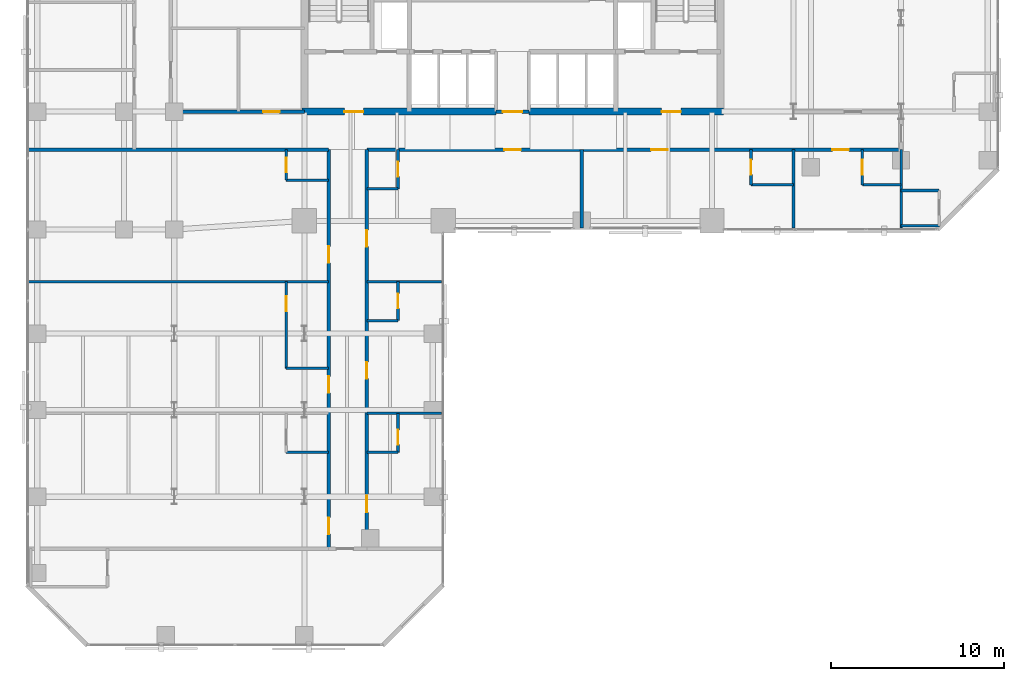
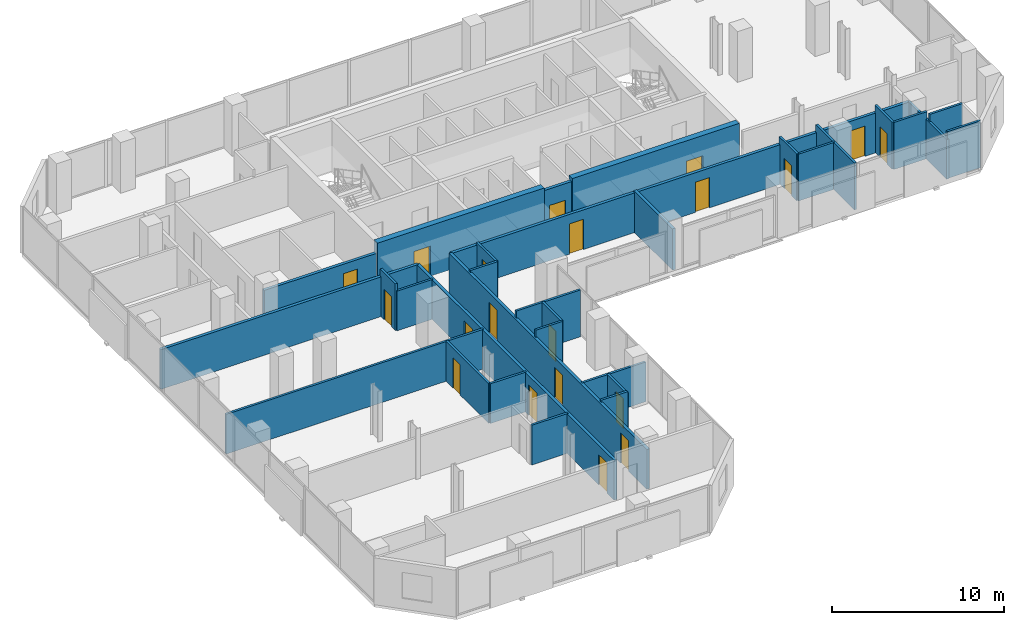
# One storey, part 27 of 31: 31 walls, 20 doors, 20 openings.
"""IFC4 building model written with IfcOpenShell, lengths in metres."""

from ifc_helpers import new_model, si_unit, direction, frame, frame_2d, origin, place, context, subcontext, project, spatial, rectangle, extrude, material, layer, layer_set, type_object, element, fill, save


model = new_model("IFC4")

# Units and contexts
model_context = context("Model", 3, precision=1e-05, world=origin(), true_north=direction((0.0, 1.0)))
body_context = subcontext(model_context, "Body", "Model", "MODEL_VIEW")
ifc_project = project(units=[si_unit("LENGTHUNIT", "METRE"), si_unit("AREAUNIT", "SQUARE_METRE"), si_unit("VOLUMEUNIT", "CUBIC_METRE"), si_unit("PLANEANGLEUNIT", "RADIAN"), si_unit("MASSUNIT", "GRAM", prefix="KILO")], contexts=[model_context])

# Site, building, storey
site_placement = place(None, origin())
site = spatial("IfcSite", under=ifc_project, at=site_placement, CompositionType="ELEMENT")
building_placement = place(site_placement, origin())
building = spatial("IfcBuilding", under=site, at=building_placement, Name="Catumbela Crestline Tower", CompositionType="ELEMENT")
storey_placement = place(building_placement, frame((0.0, 0.0, 36.6)))
storey = spatial("IfcBuildingStorey", under=building, at=storey_placement, Name="L08", CompositionType="ELEMENT", Elevation=36.6)

# Wall, opening, door
ifc_material_1 = material(Name="Concrete C60/75", Category="concrete")
ifc_layer_1 = layer(ifc_material_1, 0.4, Name="Concrete C60/75")
ifc_layer_set_1 = layer_set([ifc_layer_1], Name="Concrete C60/75")
wall_type_1 = type_object("IfcWallType", Name="CW-400A", PredefinedType="SHEAR", material=ifc_layer_set_1)
wall_1_placement = place(storey_placement, frame((15.85, 30.8, 0.0), z_axis=(0.0, 0.0, 1.0), x_axis=(1.0, 0.0, 0.0)))
wall_1 = element("IfcWall", 1, at=wall_1_placement, inside=storey, type_object=wall_type_1, Name="L08 Structural Core Shear Wall SW", PredefinedType="SHEAR", context=body_context, shape_type="SweptSolid", body=[
    extrude(rectangle(XDim=11.2, YDim=0.4, at=frame_2d((5.6, 0.0))), origin(), (0.0, 0.0, 1.0), 3.6),
])
opening_1_placement = place(wall_1_placement, frame((2.45, 0.0, 0.0)))
opening_1 = element("IfcOpeningElement", 2, at=opening_1_placement, cuts=wall_1, Name="Opening DF9-110", PredefinedType="OPENING", context=body_context, shape_type="SweptSolid", body=[
    extrude(rectangle(XDim=1.1, YDim=2.15, at=frame_2d((0.55, 1.075))), frame((0.0, 0.21, 0.0), z_axis=(0.0, -1.0, 0.0), x_axis=(1.0, 0.0, 0.0)), (0.0, 0.0, 1.0), 0.42),
])
ifc_material_2 = material(Name="Stainless steel EN 1.4401", Category="steel")
door_type_1 = type_object("IfcDoorType", Name="DF9-110", OperationType="NOTDEFINED", PredefinedType="DOOR", material=ifc_material_2)
door_1_placement = place(opening_1_placement, origin())
door_1 = element("IfcDoor", 3, at=door_1_placement, inside=storey, type_object=door_type_1, Name="L08 Interior Door DR-L08-FFW-S", OperationType="SINGLE_SWING_LEFT", OverallHeight=2.15, OverallWidth=1.1, PredefinedType="DOOR", context=body_context, shape_type="SweptSolid", body=[
    extrude(rectangle(XDim=1.1, YDim=2.15, at=frame_2d((0.55, 1.075))), frame((0.0, 0.025, 0.0), z_axis=(0.0, -1.0, 0.0), x_axis=(1.0, 0.0, 0.0)), (0.0, 0.0, 1.0), 0.05),
])
fill(opening_1, door_1)

wall_2_placement = place(storey_placement, frame((28.95, 30.8, 0.0), z_axis=(0.0, 0.0, 1.0), x_axis=(1.0, 0.0, 0.0)))
wall_2 = element("IfcWall", 4, at=wall_2_placement, inside=storey, type_object=wall_type_1, Name="L08 Structural Core Shear Wall SE", PredefinedType="SHEAR", context=body_context, shape_type="SweptSolid", body=[
    extrude(rectangle(XDim=11.2, YDim=0.4, at=frame_2d((5.6, 0.0))), origin(), (0.0, 0.0, 1.0), 3.6),
])
opening_2_placement = place(wall_2_placement, frame((7.65, 0.0, 0.0)))
opening_2 = element("IfcOpeningElement", 5, at=opening_2_placement, cuts=wall_2, Name="Opening DF9-110", PredefinedType="OPENING", context=body_context, shape_type="SweptSolid", body=[
    extrude(rectangle(XDim=1.1, YDim=2.15, at=frame_2d((0.55, 1.075))), frame((0.0, 0.21, 0.0), z_axis=(0.0, -1.0, 0.0), x_axis=(1.0, 0.0, 0.0)), (0.0, 0.0, 1.0), 0.42),
])
door_2_placement = place(opening_2_placement, origin())
door_2 = element("IfcDoor", 6, at=door_2_placement, inside=storey, type_object=door_type_1, Name="L08 Interior Door DR-L08-FFE-S", OperationType="SINGLE_SWING_RIGHT", OverallHeight=2.15, OverallWidth=1.1, PredefinedType="DOOR", context=body_context, shape_type="SweptSolid", body=[
    extrude(rectangle(XDim=1.1, YDim=2.15, at=frame_2d((0.55, 1.075))), frame((0.0, 0.025, 0.0), z_axis=(0.0, -1.0, 0.0), x_axis=(1.0, 0.0, 0.0)), (0.0, 0.0, 1.0), 0.05),
])
fill(opening_2, door_2)

ifc_material_3 = material(Name="Acoustic gypsum and mineral-wool partition")
ifc_layer_2 = layer(ifc_material_3, 0.2, Name="Acoustic gypsum and mineral-wool partition")
ifc_layer_set_2 = layer_set([ifc_layer_2], Name="Acoustic gypsum and mineral-wool partition")
wall_type_2 = type_object("IfcWallType", Name="WC-200", PredefinedType="PARTITIONING", material=ifc_layer_set_2)
wall_3_placement = place(storey_placement, frame((27.05, 30.8, 0.0), z_axis=(0.0, 0.0, 1.0), x_axis=(1.0, 0.0, 0.0)))
wall_3 = element("IfcWall", 7, at=wall_3_placement, inside=storey, type_object=wall_type_2, Name="L08 Interior Partition PW-L08-CLOBS", PredefinedType="PARTITIONING", context=body_context, shape_type="SweptSolid", body=[
    extrude(rectangle(XDim=1.9, YDim=0.2, at=frame_2d((0.95, 0.0))), origin(), (0.0, 0.0, 1.0), 3.33),
])
opening_3_placement = place(wall_3_placement, frame((0.4, 0.0, 0.0)))
opening_3 = element("IfcOpeningElement", 8, at=opening_3_placement, cuts=wall_3, Name="Opening DF9-110", PredefinedType="OPENING", context=body_context, shape_type="SweptSolid", body=[
    extrude(rectangle(XDim=1.1, YDim=2.15, at=frame_2d((0.55, 1.075))), frame((0.0, 0.11, 0.0), z_axis=(0.0, -1.0, 0.0), x_axis=(1.0, 0.0, 0.0)), (0.0, 0.0, 1.0), 0.22),
])
door_3_placement = place(opening_3_placement, origin())
door_3 = element("IfcDoor", 9, at=door_3_placement, inside=storey, type_object=door_type_1, Name="L08 Interior Door DR-L08-CLOBS", OperationType="SINGLE_SWING_LEFT", OverallHeight=2.15, OverallWidth=1.1, PredefinedType="DOOR", context=body_context, shape_type="SweptSolid", body=[
    extrude(rectangle(XDim=1.1, YDim=2.15, at=frame_2d((0.55, 1.075))), frame((0.0, 0.025, 0.0), z_axis=(0.0, -1.0, 0.0), x_axis=(1.0, 0.0, 0.0)), (0.0, 0.0, 1.0), 0.05),
])
fill(opening_3, door_3)

# Wall
wall_4_placement = place(storey_placement, frame((0.1, 28.6, 0.0), z_axis=(0.0, 0.0, 1.0), x_axis=(1.0, 0.0, 0.0)))
element("IfcWall", 10, at=wall_4_placement, inside=storey, type_object=wall_type_2, Name="L08 Interior Partition PW-L08-CWGL-N", PredefinedType="PARTITIONING", context=body_context, shape_type="SweptSolid", body=[
    extrude(rectangle(XDim=17.3, YDim=0.2, at=frame_2d((8.65, 0.0))), origin(), (0.0, 0.0, 1.0), 2.82),
])

# Wall, openings, doors
wall_5_placement = place(storey_placement, frame((19.6, 28.6, 0.0), z_axis=(0.0, 0.0, 1.0), x_axis=(1.0, 0.0, 0.0)))
wall_5 = element("IfcWall", 11, at=wall_5_placement, inside=storey, type_object=wall_type_2, Name="L08 Interior Partition PW-L08-CWGR-N", PredefinedType="PARTITIONING", context=body_context, shape_type="SweptSolid", body=[
    extrude(rectangle(XDim=30.8, YDim=0.2, at=frame_2d((15.4, 0.0))), origin(), (0.0, 0.0, 1.0), 2.82),
])
opening_4_placement = place(wall_5_placement, frame((7.925, 0.0, 0.0)))
opening_4 = element("IfcOpeningElement", 12, at=opening_4_placement, cuts=wall_5, Name="Opening DF6-095", PredefinedType="OPENING", context=body_context, shape_type="SweptSolid", body=[
    extrude(rectangle(XDim=0.95, YDim=2.15, at=frame_2d((0.475, 1.075))), frame((0.0, 0.11, 0.0), z_axis=(0.0, -1.0, 0.0), x_axis=(1.0, 0.0, 0.0)), (0.0, 0.0, 1.0), 0.22),
])
opening_5_placement = place(wall_5_placement, frame((16.39, 0.0, 0.0)))
opening_5 = element("IfcOpeningElement", 13, at=opening_5_placement, cuts=wall_5, Name="Opening DF6-095", PredefinedType="OPENING", context=body_context, shape_type="SweptSolid", body=[
    extrude(rectangle(XDim=0.95, YDim=2.15, at=frame_2d((0.475, 1.075))), frame((0.0, 0.11, 0.0), z_axis=(0.0, -1.0, 0.0), x_axis=(1.0, 0.0, 0.0)), (0.0, 0.0, 1.0), 0.22),
])
opening_6_placement = place(wall_5_placement, frame((26.8354, 0.0, 0.0)))
opening_6 = element("IfcOpeningElement", 14, at=opening_6_placement, cuts=wall_5, Name="Opening DF6-095", PredefinedType="OPENING", context=body_context, shape_type="SweptSolid", body=[
    extrude(rectangle(XDim=0.95, YDim=2.15, at=frame_2d((0.475, 1.075))), frame((0.0, 0.11, 0.0), z_axis=(0.0, -1.0, 0.0), x_axis=(1.0, 0.0, 0.0)), (0.0, 0.0, 1.0), 0.22),
])
ifc_material_4 = material(Name="Aluminium alloy AW-6060-T66", Category="aluminium")
door_type_2 = type_object("IfcDoorType", Name="DF6-095", OperationType="NOTDEFINED", PredefinedType="DOOR", material=ifc_material_4)
door_4_placement = place(opening_4_placement, origin())
door_4 = element("IfcDoor", 15, at=door_4_placement, inside=storey, type_object=door_type_2, Name="L08 Interior Door DR-L08-CLBL-ENT", OperationType="SINGLE_SWING_RIGHT", OverallHeight=2.15, OverallWidth=0.95, PredefinedType="DOOR", context=body_context, shape_type="SweptSolid", body=[
    extrude(rectangle(XDim=0.95, YDim=2.15, at=frame_2d((0.475, 1.075))), frame((0.0, 0.025, 0.0), z_axis=(0.0, -1.0, 0.0), x_axis=(1.0, 0.0, 0.0)), (0.0, 0.0, 1.0), 0.05),
])
fill(opening_4, door_4)
door_5_placement = place(opening_5_placement, origin())
door_5 = element("IfcDoor", 16, at=door_5_placement, inside=storey, type_object=door_type_2, Name="L08 Interior Door DR-L08-K2-ENT", OperationType="SINGLE_SWING_RIGHT", OverallHeight=2.15, OverallWidth=0.95, PredefinedType="DOOR", context=body_context, shape_type="SweptSolid", body=[
    extrude(rectangle(XDim=0.95, YDim=2.15, at=frame_2d((0.475, 1.075))), frame((0.0, 0.025, 0.0), z_axis=(0.0, -1.0, 0.0), x_axis=(1.0, 0.0, 0.0)), (0.0, 0.0, 1.0), 0.05),
])
fill(opening_5, door_5)
door_6_placement = place(opening_6_placement, origin())
door_6 = element("IfcDoor", 17, at=door_6_placement, inside=storey, type_object=door_type_2, Name="L08 Interior Door DR-L08-K3-ENT", OperationType="SINGLE_SWING_LEFT", OverallHeight=2.15, OverallWidth=0.95, PredefinedType="DOOR", context=body_context, shape_type="SweptSolid", body=[
    extrude(rectangle(XDim=0.95, YDim=2.15, at=frame_2d((0.475, 1.075))), frame((0.0, 0.025, 0.0), z_axis=(0.0, -1.0, 0.0), x_axis=(1.0, 0.0, 0.0)), (0.0, 0.0, 1.0), 0.05),
])
fill(opening_6, door_6)

# Wall, opening, door
wall_6_placement = place(storey_placement, frame((8.3, 30.8, 0.0), z_axis=(0.0, 0.0, 1.0), x_axis=(1.0, 0.0, 0.0)))
wall_6 = element("IfcWall", 18, at=wall_6_placement, inside=storey, type_object=wall_type_2, Name="L08 Interior Partition PW-L08-HK-S", PredefinedType="PARTITIONING", context=body_context, shape_type="SweptSolid", body=[
    extrude(rectangle(XDim=7.7, YDim=0.2, at=frame_2d((3.85, 0.0))), origin(), (0.0, 0.0, 1.0), 2.82),
])
opening_7_placement = place(wall_6_placement, frame((5.325, 0.0, 0.0)))
opening_7 = element("IfcOpeningElement", 19, at=opening_7_placement, cuts=wall_6, Name="Opening DF6-095", PredefinedType="OPENING", context=body_context, shape_type="SweptSolid", body=[
    extrude(rectangle(XDim=0.95, YDim=2.15, at=frame_2d((0.475, 1.075))), frame((0.0, 0.11, 0.0), z_axis=(0.0, -1.0, 0.0), x_axis=(1.0, 0.0, 0.0)), (0.0, 0.0, 1.0), 0.22),
])
door_7_placement = place(opening_7_placement, origin())
door_7 = element("IfcDoor", 20, at=door_7_placement, inside=storey, type_object=door_type_2, Name="L08 Interior Door DR-L08-HKP", OperationType="SINGLE_SWING_LEFT", OverallHeight=2.15, OverallWidth=0.95, PredefinedType="DOOR", context=body_context, shape_type="SweptSolid", body=[
    extrude(rectangle(XDim=0.95, YDim=2.15, at=frame_2d((0.475, 1.075))), frame((0.0, 0.025, 0.0), z_axis=(0.0, -1.0, 0.0), x_axis=(1.0, 0.0, 0.0)), (0.0, 0.0, 1.0), 0.05),
])
fill(opening_7, door_7)

# Wall, openings, doors
wall_7_placement = place(storey_placement, frame((17.4, 5.6, 0.0), z_axis=(0.0, 0.0, 1.0), x_axis=(0.0, 1.0, 0.0)))
wall_7 = element("IfcWall", 21, at=wall_7_placement, inside=storey, type_object=wall_type_2, Name="L08 Interior Partition PW-L08-WL1-ENT", PredefinedType="PARTITIONING", context=body_context, shape_type="SweptSolid", body=[
    extrude(rectangle(XDim=23.0, YDim=0.2, at=frame_2d((11.5, 0.0))), origin(), (0.0, 0.0, 1.0), 2.82),
])
opening_8_placement = place(wall_7_placement, frame((0.84, 0.0, 0.0)))
opening_8 = element("IfcOpeningElement", 22, at=opening_8_placement, cuts=wall_7, Name="Opening DF6-095", PredefinedType="OPENING", context=body_context, shape_type="SweptSolid", body=[
    extrude(rectangle(XDim=0.95, YDim=2.15, at=frame_2d((0.475, 1.075))), frame((0.0, 0.11, 0.0), z_axis=(0.0, -1.0, 0.0), x_axis=(1.0, 0.0, 0.0)), (0.0, 0.0, 1.0), 0.22),
])
opening_9_placement = place(wall_7_placement, frame((8.9831, 0.0, 0.0)))
opening_9 = element("IfcOpeningElement", 23, at=opening_9_placement, cuts=wall_7, Name="Opening DF6-095", PredefinedType="OPENING", context=body_context, shape_type="SweptSolid", body=[
    extrude(rectangle(XDim=0.95, YDim=2.15, at=frame_2d((0.475, 1.075))), frame((0.0, 0.11, 0.0), z_axis=(0.0, -1.0, 0.0), x_axis=(1.0, 0.0, 0.0)), (0.0, 0.0, 1.0), 0.22),
])
opening_10_placement = place(wall_7_placement, frame((16.476, 0.0, 0.0)))
opening_10 = element("IfcOpeningElement", 24, at=opening_10_placement, cuts=wall_7, Name="Opening DF6-095", PredefinedType="OPENING", context=body_context, shape_type="SweptSolid", body=[
    extrude(rectangle(XDim=0.95, YDim=2.15, at=frame_2d((0.475, 1.075))), frame((0.0, 0.11, 0.0), z_axis=(0.0, -1.0, 0.0), x_axis=(1.0, 0.0, 0.0)), (0.0, 0.0, 1.0), 0.22),
])
door_8_placement = place(opening_8_placement, origin())
door_8 = element("IfcDoor", 25, at=door_8_placement, inside=storey, type_object=door_type_2, Name="L08 Interior Door DR-L08-WL1-ENT", OperationType="SINGLE_SWING_LEFT", OverallHeight=2.15, OverallWidth=0.95, PredefinedType="DOOR", context=body_context, shape_type="SweptSolid", body=[
    extrude(rectangle(XDim=0.95, YDim=2.15, at=frame_2d((0.475, 1.075))), frame((0.0, 0.025, 0.0), z_axis=(0.0, -1.0, 0.0), x_axis=(1.0, 0.0, 0.0)), (0.0, 0.0, 1.0), 0.05),
])
fill(opening_8, door_8)
door_9_placement = place(opening_9_placement, origin())
door_9 = element("IfcDoor", 26, at=door_9_placement, inside=storey, type_object=door_type_2, Name="L08 Interior Door DR-L08-WL2-ENT", OperationType="SINGLE_SWING_RIGHT", OverallHeight=2.15, OverallWidth=0.95, PredefinedType="DOOR", context=body_context, shape_type="SweptSolid", body=[
    extrude(rectangle(XDim=0.95, YDim=2.15, at=frame_2d((0.475, 1.075))), frame((0.0, 0.025, 0.0), z_axis=(0.0, -1.0, 0.0), x_axis=(1.0, 0.0, 0.0)), (0.0, 0.0, 1.0), 0.05),
])
fill(opening_9, door_9)
door_10_placement = place(opening_10_placement, origin())
door_10 = element("IfcDoor", 27, at=door_10_placement, inside=storey, type_object=door_type_2, Name="L08 Interior Door DR-L08-WL3-ENT", OperationType="SINGLE_SWING_LEFT", OverallHeight=2.15, OverallWidth=0.95, PredefinedType="DOOR", context=body_context, shape_type="SweptSolid", body=[
    extrude(rectangle(XDim=0.95, YDim=2.15, at=frame_2d((0.475, 1.075))), frame((0.0, 0.025, 0.0), z_axis=(0.0, -1.0, 0.0), x_axis=(1.0, 0.0, 0.0)), (0.0, 0.0, 1.0), 0.05),
])
fill(opening_10, door_10)

wall_8_placement = place(storey_placement, frame((19.6, 5.6, 0.0), z_axis=(0.0, 0.0, 1.0), x_axis=(0.0, 1.0, 0.0)))
wall_8 = element("IfcWall", 28, at=wall_8_placement, inside=storey, type_object=wall_type_2, Name="L08 Interior Partition PW-L08-WR1-ENT", PredefinedType="PARTITIONING", context=body_context, shape_type="SweptSolid", body=[
    extrude(rectangle(XDim=23.0, YDim=0.2, at=frame_2d((11.5, 0.0))), origin(), (0.0, 0.0, 1.0), 2.82),
])
opening_11_placement = place(wall_8_placement, frame((2.1, 0.0, 0.0)))
opening_11 = element("IfcOpeningElement", 29, at=opening_11_placement, cuts=wall_8, Name="Opening DF6-095", PredefinedType="OPENING", context=body_context, shape_type="SweptSolid", body=[
    extrude(rectangle(XDim=0.95, YDim=2.15, at=frame_2d((0.475, 1.075))), frame((0.0, 0.11, 0.0), z_axis=(0.0, -1.0, 0.0), x_axis=(1.0, 0.0, 0.0)), (0.0, 0.0, 1.0), 0.22),
])
opening_12_placement = place(wall_8_placement, frame((9.81, 0.0, 0.0)))
opening_12 = element("IfcOpeningElement", 30, at=opening_12_placement, cuts=wall_8, Name="Opening DF6-095", PredefinedType="OPENING", context=body_context, shape_type="SweptSolid", body=[
    extrude(rectangle(XDim=0.95, YDim=2.15, at=frame_2d((0.475, 1.075))), frame((0.0, 0.11, 0.0), z_axis=(0.0, -1.0, 0.0), x_axis=(1.0, 0.0, 0.0)), (0.0, 0.0, 1.0), 0.22),
])
opening_13_placement = place(wall_8_placement, frame((17.41, 0.0, 0.0)))
opening_13 = element("IfcOpeningElement", 31, at=opening_13_placement, cuts=wall_8, Name="Opening DF6-095", PredefinedType="OPENING", context=body_context, shape_type="SweptSolid", body=[
    extrude(rectangle(XDim=0.95, YDim=2.15, at=frame_2d((0.475, 1.075))), frame((0.0, 0.11, 0.0), z_axis=(0.0, -1.0, 0.0), x_axis=(1.0, 0.0, 0.0)), (0.0, 0.0, 1.0), 0.22),
])
door_11_placement = place(opening_11_placement, origin())
door_11 = element("IfcDoor", 32, at=door_11_placement, inside=storey, type_object=door_type_2, Name="L08 Interior Door DR-L08-WR1-ENT", OperationType="SINGLE_SWING_LEFT", OverallHeight=2.15, OverallWidth=0.95, PredefinedType="DOOR", context=body_context, shape_type="SweptSolid", body=[
    extrude(rectangle(XDim=0.95, YDim=2.15, at=frame_2d((0.475, 1.075))), frame((0.0, 0.025, 0.0), z_axis=(0.0, -1.0, 0.0), x_axis=(1.0, 0.0, 0.0)), (0.0, 0.0, 1.0), 0.05),
])
fill(opening_11, door_11)
door_12_placement = place(opening_12_placement, origin())
door_12 = element("IfcDoor", 33, at=door_12_placement, inside=storey, type_object=door_type_2, Name="L08 Interior Door DR-L08-WR2-ENT", OperationType="SINGLE_SWING_RIGHT", OverallHeight=2.15, OverallWidth=0.95, PredefinedType="DOOR", context=body_context, shape_type="SweptSolid", body=[
    extrude(rectangle(XDim=0.95, YDim=2.15, at=frame_2d((0.475, 1.075))), frame((0.0, 0.025, 0.0), z_axis=(0.0, -1.0, 0.0), x_axis=(1.0, 0.0, 0.0)), (0.0, 0.0, 1.0), 0.05),
])
fill(opening_12, door_12)
door_13_placement = place(opening_13_placement, origin())
door_13 = element("IfcDoor", 34, at=door_13_placement, inside=storey, type_object=door_type_2, Name="L08 Interior Door DR-L08-WR3-ENT", OperationType="SINGLE_SWING_LEFT", OverallHeight=2.15, OverallWidth=0.95, PredefinedType="DOOR", context=body_context, shape_type="SweptSolid", body=[
    extrude(rectangle(XDim=0.95, YDim=2.15, at=frame_2d((0.475, 1.075))), frame((0.0, 0.025, 0.0), z_axis=(0.0, -1.0, 0.0), x_axis=(1.0, 0.0, 0.0)), (0.0, 0.0, 1.0), 0.05),
])
fill(opening_13, door_13)

# Wall
ifc_layer_3 = layer(ifc_material_3, 0.15, Name="Acoustic gypsum and mineral-wool partition")
ifc_layer_set_3 = layer_set([ifc_layer_3], Name="Acoustic gypsum and mineral-wool partition")
wall_type_3 = type_object("IfcWallType", Name="WP-150", PredefinedType="PARTITIONING", material=ifc_layer_set_3)
wall_9_placement = place(storey_placement, frame((41.75, 26.576, 0.0), z_axis=(0.0, 0.0, 1.0), x_axis=(1.0, 0.0, 0.0)))
element("IfcWall", 35, at=wall_9_placement, inside=storey, type_object=wall_type_3, Name="L08 Interior Partition PW-L08-K2-BHW", PredefinedType="PARTITIONING", context=body_context, shape_type="SweptSolid", body=[
    extrude(rectangle(XDim=2.45, YDim=0.15, at=frame_2d((1.225, 0.0))), origin(), (0.0, 0.0, 1.0), 3.33),
])

# Wall, opening, door
wall_10_placement = place(storey_placement, frame((41.75, 26.576, 0.0), z_axis=(0.0, 0.0, 1.0), x_axis=(0.0, 1.0, 0.0)))
wall_10 = element("IfcWall", 36, at=wall_10_placement, inside=storey, type_object=wall_type_3, Name="L08 Interior Partition PW-L08-K2-BWW", PredefinedType="PARTITIONING", context=body_context, shape_type="SweptSolid", body=[
    extrude(rectangle(XDim=2.024, YDim=0.15, at=frame_2d((1.012, 0.0))), origin(), (0.0, 0.0, 1.0), 3.33),
])
opening_14_placement = place(wall_10_placement, frame((0.587, 0.0, 0.0)))
opening_14 = element("IfcOpeningElement", 37, at=opening_14_placement, cuts=wall_10, Name="Opening DI-085", PredefinedType="OPENING", context=body_context, shape_type="SweptSolid", body=[
    extrude(rectangle(XDim=0.85, YDim=2.15, at=frame_2d((0.425, 1.075))), frame((0.0, 0.085, 0.0), z_axis=(0.0, -1.0, 0.0), x_axis=(1.0, 0.0, 0.0)), (0.0, 0.0, 1.0), 0.17),
])
door_type_3 = type_object("IfcDoorType", Name="DI-085", OperationType="NOTDEFINED", PredefinedType="DOOR", material=ifc_material_4)
door_14_placement = place(opening_14_placement, origin())
door_14 = element("IfcDoor", 38, at=door_14_placement, inside=storey, type_object=door_type_3, Name="L08 Interior Door DR-L08-K2-BTH", OperationType="SINGLE_SWING_RIGHT", OverallHeight=2.15, OverallWidth=0.85, PredefinedType="DOOR", context=body_context, shape_type="SweptSolid", body=[
    extrude(rectangle(XDim=0.85, YDim=2.15, at=frame_2d((0.425, 1.075))), frame((0.0, 0.025, 0.0), z_axis=(0.0, -1.0, 0.0), x_axis=(1.0, 0.0, 0.0)), (0.0, 0.0, 1.0), 0.05),
])
fill(opening_14, door_14)

# Walls
wall_11_placement = place(storey_placement, frame((44.2, 28.6, 0.0), z_axis=(0.0, 0.0, 1.0), x_axis=(0.0, -1.0, 0.0)))
element("IfcWall", 39, at=wall_11_placement, inside=storey, type_object=wall_type_3, Name="L08 Interior Partition PW-L08-K2-BCL-2", PredefinedType="PARTITIONING", context=body_context, shape_type="SweptSolid", body=[
    extrude(rectangle(XDim=4.5, YDim=0.15, at=frame_2d((2.25, 0.0))), origin(), (0.0, 0.0, 1.0), 3.33),
])
wall_12_placement = place(storey_placement, frame((48.168, 26.576, 0.0), z_axis=(0.0, 0.0, 1.0), x_axis=(1.0, 0.0, 0.0)))
element("IfcWall", 40, at=wall_12_placement, inside=storey, type_object=wall_type_3, Name="L08 Interior Partition PW-L08-K3-BHW", PredefinedType="PARTITIONING", context=body_context, shape_type="SweptSolid", body=[
    extrude(rectangle(XDim=2.232, YDim=0.15, at=frame_2d((1.116, 0.0))), origin(), (0.0, 0.0, 1.0), 3.33),
])

# Wall, opening, door
wall_13_placement = place(storey_placement, frame((48.168, 26.576, 0.0), z_axis=(0.0, 0.0, 1.0), x_axis=(0.0, 1.0, 0.0)))
wall_13 = element("IfcWall", 41, at=wall_13_placement, inside=storey, type_object=wall_type_3, Name="L08 Interior Partition PW-L08-K3-BWW", PredefinedType="PARTITIONING", context=body_context, shape_type="SweptSolid", body=[
    extrude(rectangle(XDim=2.024, YDim=0.15, at=frame_2d((1.012, 0.0))), origin(), (0.0, 0.0, 1.0), 3.33),
])
opening_15_placement = place(wall_13_placement, frame((0.587, 0.0, 0.0)))
opening_15 = element("IfcOpeningElement", 42, at=opening_15_placement, cuts=wall_13, Name="Opening DI-085", PredefinedType="OPENING", context=body_context, shape_type="SweptSolid", body=[
    extrude(rectangle(XDim=0.85, YDim=2.15, at=frame_2d((0.425, 1.075))), frame((0.0, 0.085, 0.0), z_axis=(0.0, -1.0, 0.0), x_axis=(1.0, 0.0, 0.0)), (0.0, 0.0, 1.0), 0.17),
])
door_15_placement = place(opening_15_placement, origin())
door_15 = element("IfcDoor", 43, at=door_15_placement, inside=storey, type_object=door_type_3, Name="L08 Interior Door DR-L08-K3-BTH", OperationType="SINGLE_SWING_RIGHT", OverallHeight=2.15, OverallWidth=0.85, PredefinedType="DOOR", context=body_context, shape_type="SweptSolid", body=[
    extrude(rectangle(XDim=0.85, YDim=2.15, at=frame_2d((0.425, 1.075))), frame((0.0, 0.025, 0.0), z_axis=(0.0, -1.0, 0.0), x_axis=(1.0, 0.0, 0.0)), (0.0, 0.0, 1.0), 0.05),
])
fill(opening_15, door_15)

# Walls
wall_14_placement = place(storey_placement, frame((50.4, 28.6, 0.0), z_axis=(0.0, 0.0, 1.0), x_axis=(0.0, -1.0, 0.0)))
element("IfcWall", 44, at=wall_14_placement, inside=storey, type_object=wall_type_3, Name="L08 Interior Partition PW-L08-K3-BCL-2", PredefinedType="PARTITIONING", context=body_context, shape_type="SweptSolid", body=[
    extrude(rectangle(XDim=4.5, YDim=0.15, at=frame_2d((2.25, 0.0))), origin(), (0.0, 0.0, 1.0), 2.82),
])
wall_15_placement = place(storey_placement, frame((50.4, 26.25, 0.0), z_axis=(0.0, 0.0, 1.0), x_axis=(1.0, 0.0, 0.0)))
element("IfcWall", 45, at=wall_15_placement, inside=storey, type_object=wall_type_3, Name="L08 Interior Partition PW-L08-NESE-BNW", PredefinedType="PARTITIONING", context=body_context, shape_type="SweptSolid", body=[
    extrude(rectangle(XDim=2.2, YDim=0.15, at=frame_2d((1.1, 0.0))), origin(), (0.0, 0.0, 1.0), 3.33),
])
wall_16_placement = place(storey_placement, frame((52.62, 24.22, 0.0), z_axis=(0.0, 0.0, 1.0), x_axis=(-1.0, 0.0, 0.0)))
element("IfcWall", 46, at=wall_16_placement, inside=storey, type_object=wall_type_3, Name="L08 Interior Partition PW-L08-NESE-BCL-3", PredefinedType="PARTITIONING", context=body_context, shape_type="SweptSolid", body=[
    extrude(rectangle(XDim=2.22, YDim=0.15, at=frame_2d((1.11, 0.0))), origin(), (0.0, 0.0, 1.0), 3.33),
])
wall_17_placement = place(storey_placement, frame((14.95, 11.15, 0.0), z_axis=(0.0, 0.0, 1.0), x_axis=(1.0, 0.0, 0.0)))
element("IfcWall", 47, at=wall_17_placement, inside=storey, type_object=wall_type_3, Name="L08 Interior Partition PW-L08-WL1-BSW", PredefinedType="PARTITIONING", context=body_context, shape_type="SweptSolid", body=[
    extrude(rectangle(XDim=2.45, YDim=0.15, at=frame_2d((1.225, 0.0))), origin(), (0.0, 0.0, 1.0), 2.82),
])
wall_18_placement = place(storey_placement, frame((19.6, 11.15, 0.0), z_axis=(0.0, 0.0, 1.0), x_axis=(1.0, 0.0, 0.0)))
element("IfcWall", 48, at=wall_18_placement, inside=storey, type_object=wall_type_3, Name="L08 Interior Partition PW-L08-WR1-BSW", PredefinedType="PARTITIONING", context=body_context, shape_type="SweptSolid", body=[
    extrude(rectangle(XDim=1.8, YDim=0.15, at=frame_2d((0.9, 0.0))), origin(), (0.0, 0.0, 1.0), 2.96),
])

# Wall, opening, door
wall_19_placement = place(storey_placement, frame((21.4, 11.15, 0.0), z_axis=(0.0, 0.0, 1.0), x_axis=(0.0, 1.0, 0.0)))
wall_19 = element("IfcWall", 49, at=wall_19_placement, inside=storey, type_object=wall_type_3, Name="L08 Interior Partition PW-L08-WR1-BEW", PredefinedType="PARTITIONING", context=body_context, shape_type="SweptSolid", body=[
    extrude(rectangle(XDim=2.25, YDim=0.15, at=frame_2d((1.125, 0.0))), origin(), (0.0, 0.0, 1.0), 2.82),
])
opening_16_placement = place(wall_19_placement, frame((0.4444, 0.0, 0.0)))
opening_16 = element("IfcOpeningElement", 50, at=opening_16_placement, cuts=wall_19, Name="Opening DI-085", PredefinedType="OPENING", context=body_context, shape_type="SweptSolid", body=[
    extrude(rectangle(XDim=0.85, YDim=2.15, at=frame_2d((0.425, 1.075))), frame((0.0, 0.085, 0.0), z_axis=(0.0, -1.0, 0.0), x_axis=(1.0, 0.0, 0.0)), (0.0, 0.0, 1.0), 0.17),
])
door_16_placement = place(opening_16_placement, origin())
door_16 = element("IfcDoor", 51, at=door_16_placement, inside=storey, type_object=door_type_3, Name="L08 Interior Door DR-L08-WR1-BTH", OperationType="SINGLE_SWING_LEFT", OverallHeight=2.15, OverallWidth=0.85, PredefinedType="DOOR", context=body_context, shape_type="SweptSolid", body=[
    extrude(rectangle(XDim=0.85, YDim=2.15, at=frame_2d((0.425, 1.075))), frame((0.0, 0.025, 0.0), z_axis=(0.0, -1.0, 0.0), x_axis=(1.0, 0.0, 0.0)), (0.0, 0.0, 1.0), 0.05),
])
fill(opening_16, door_16)

# Walls
wall_20_placement = place(storey_placement, frame((19.6, 13.4, 0.0), z_axis=(0.0, 0.0, 1.0), x_axis=(1.0, 0.0, 0.0)))
element("IfcWall", 52, at=wall_20_placement, inside=storey, type_object=wall_type_3, Name="L08 Interior Partition PW-L08-WR1-BCL-1", PredefinedType="PARTITIONING", context=body_context, shape_type="SweptSolid", body=[
    extrude(rectangle(XDim=4.3, YDim=0.15, at=frame_2d((2.15, 0.0))), origin(), (0.0, 0.0, 1.0), 2.82),
])
wall_21_placement = place(storey_placement, frame((14.95, 16.0, 0.0), z_axis=(0.0, 0.0, 1.0), x_axis=(1.0, 0.0, 0.0)))
element("IfcWall", 53, at=wall_21_placement, inside=storey, type_object=wall_type_3, Name="L08 Interior Partition PW-L08-WL2-BSW", PredefinedType="PARTITIONING", context=body_context, shape_type="SweptSolid", body=[
    extrude(rectangle(XDim=2.45, YDim=0.15, at=frame_2d((1.225, 0.0))), origin(), (0.0, 0.0, 1.0), 2.82),
])

# Wall, opening, door
wall_22_placement = place(storey_placement, frame((14.95, 16.0, 0.0), z_axis=(0.0, 0.0, 1.0), x_axis=(0.0, 1.0, 0.0)))
wall_22 = element("IfcWall", 54, at=wall_22_placement, inside=storey, type_object=wall_type_3, Name="L08 Interior Partition PW-L08-WL2-BWW", PredefinedType="PARTITIONING", context=body_context, shape_type="SweptSolid", body=[
    extrude(rectangle(XDim=5.0, YDim=0.15, at=frame_2d((2.5, 0.0))), origin(), (0.0, 0.0, 1.0), 2.82),
])
opening_17_placement = place(wall_22_placement, frame((3.2983, 0.0, 0.0)))
opening_17 = element("IfcOpeningElement", 55, at=opening_17_placement, cuts=wall_22, Name="Opening DI-085", PredefinedType="OPENING", context=body_context, shape_type="SweptSolid", body=[
    extrude(rectangle(XDim=0.85, YDim=2.15, at=frame_2d((0.425, 1.075))), frame((0.0, 0.085, 0.0), z_axis=(0.0, -1.0, 0.0), x_axis=(1.0, 0.0, 0.0)), (0.0, 0.0, 1.0), 0.17),
])
door_17_placement = place(opening_17_placement, origin())
door_17 = element("IfcDoor", 56, at=door_17_placement, inside=storey, type_object=door_type_3, Name="L08 Interior Door DR-L08-WL2-BTH", OperationType="SINGLE_SWING_RIGHT", OverallHeight=2.15, OverallWidth=0.85, PredefinedType="DOOR", context=body_context, shape_type="SweptSolid", body=[
    extrude(rectangle(XDim=0.85, YDim=2.15, at=frame_2d((0.425, 1.075))), frame((0.0, 0.025, 0.0), z_axis=(0.0, -1.0, 0.0), x_axis=(1.0, 0.0, 0.0)), (0.0, 0.0, 1.0), 0.05),
])
fill(opening_17, door_17)

# Walls
wall_23_placement = place(storey_placement, frame((0.1, 21.0, 0.0), z_axis=(0.0, 0.0, 1.0), x_axis=(1.0, 0.0, 0.0)))
element("IfcWall", 57, at=wall_23_placement, inside=storey, type_object=wall_type_3, Name="L08 Interior Partition PW-L08-WL2-BCL-1", PredefinedType="PARTITIONING", context=body_context, shape_type="SweptSolid", body=[
    extrude(rectangle(XDim=17.3, YDim=0.15, at=frame_2d((8.65, 0.0))), origin(), (0.0, 0.0, 1.0), 2.82),
])
wall_24_placement = place(storey_placement, frame((19.6, 18.75, 0.0), z_axis=(0.0, 0.0, 1.0), x_axis=(1.0, 0.0, 0.0)))
element("IfcWall", 58, at=wall_24_placement, inside=storey, type_object=wall_type_3, Name="L08 Interior Partition PW-L08-WR2-BSW", PredefinedType="PARTITIONING", context=body_context, shape_type="SweptSolid", body=[
    extrude(rectangle(XDim=1.8, YDim=0.15, at=frame_2d((0.9, 0.0))), origin(), (0.0, 0.0, 1.0), 3.33),
])

# Wall, opening, door
wall_25_placement = place(storey_placement, frame((21.4, 18.75, 0.0), z_axis=(0.0, 0.0, 1.0), x_axis=(0.0, 1.0, 0.0)))
wall_25 = element("IfcWall", 59, at=wall_25_placement, inside=storey, type_object=wall_type_3, Name="L08 Interior Partition PW-L08-WR2-BEW", PredefinedType="PARTITIONING", context=body_context, shape_type="SweptSolid", body=[
    extrude(rectangle(XDim=2.25, YDim=0.15, at=frame_2d((1.125, 0.0))), origin(), (0.0, 0.0, 1.0), 3.33),
])
opening_18_placement = place(wall_25_placement, frame((0.7, 0.0, 0.0)))
opening_18 = element("IfcOpeningElement", 60, at=opening_18_placement, cuts=wall_25, Name="Opening DI-085", PredefinedType="OPENING", context=body_context, shape_type="SweptSolid", body=[
    extrude(rectangle(XDim=0.85, YDim=2.15, at=frame_2d((0.425, 1.075))), frame((0.0, 0.085, 0.0), z_axis=(0.0, -1.0, 0.0), x_axis=(1.0, 0.0, 0.0)), (0.0, 0.0, 1.0), 0.17),
])
door_18_placement = place(opening_18_placement, origin())
door_18 = element("IfcDoor", 61, at=door_18_placement, inside=storey, type_object=door_type_3, Name="L08 Interior Door DR-L08-WR2-BTH", OperationType="SINGLE_SWING_LEFT", OverallHeight=2.15, OverallWidth=0.85, PredefinedType="DOOR", context=body_context, shape_type="SweptSolid", body=[
    extrude(rectangle(XDim=0.85, YDim=2.15, at=frame_2d((0.425, 1.075))), frame((0.0, 0.025, 0.0), z_axis=(0.0, -1.0, 0.0), x_axis=(1.0, 0.0, 0.0)), (0.0, 0.0, 1.0), 0.05),
])
fill(opening_18, door_18)

# Walls
wall_26_placement = place(storey_placement, frame((19.6, 21.0, 0.0), z_axis=(0.0, 0.0, 1.0), x_axis=(1.0, 0.0, 0.0)))
element("IfcWall", 62, at=wall_26_placement, inside=storey, type_object=wall_type_3, Name="L08 Interior Partition PW-L08-WR2-BCL-1", PredefinedType="PARTITIONING", context=body_context, shape_type="SweptSolid", body=[
    extrude(rectangle(XDim=4.3, YDim=0.15, at=frame_2d((2.15, 0.0))), origin(), (0.0, 0.0, 1.0), 3.33),
])
wall_27_placement = place(storey_placement, frame((14.95, 26.85, 0.0), z_axis=(0.0, 0.0, 1.0), x_axis=(1.0, 0.0, 0.0)))
element("IfcWall", 63, at=wall_27_placement, inside=storey, type_object=wall_type_3, Name="L08 Interior Partition PW-L08-WL3-BSW", PredefinedType="PARTITIONING", context=body_context, shape_type="SweptSolid", body=[
    extrude(rectangle(XDim=2.45, YDim=0.15, at=frame_2d((1.225, 0.0))), origin(), (0.0, 0.0, 1.0), 2.82),
])

# Wall, opening, door
wall_28_placement = place(storey_placement, frame((14.95, 26.85, 0.0), z_axis=(0.0, 0.0, 1.0), x_axis=(0.0, 1.0, 0.0)))
wall_28 = element("IfcWall", 64, at=wall_28_placement, inside=storey, type_object=wall_type_3, Name="L08 Interior Partition PW-L08-WL3-BWW", PredefinedType="PARTITIONING", context=body_context, shape_type="SweptSolid", body=[
    extrude(rectangle(XDim=1.75, YDim=0.15, at=frame_2d((0.875, 0.0))), origin(), (0.0, 0.0, 1.0), 3.33),
])
opening_19_placement = place(wall_28_placement, frame((0.45, 0.0, 0.0)))
opening_19 = element("IfcOpeningElement", 65, at=opening_19_placement, cuts=wall_28, Name="Opening DI-085", PredefinedType="OPENING", context=body_context, shape_type="SweptSolid", body=[
    extrude(rectangle(XDim=0.85, YDim=2.15, at=frame_2d((0.425, 1.075))), frame((0.0, 0.085, 0.0), z_axis=(0.0, -1.0, 0.0), x_axis=(1.0, 0.0, 0.0)), (0.0, 0.0, 1.0), 0.17),
])
door_19_placement = place(opening_19_placement, origin())
door_19 = element("IfcDoor", 66, at=door_19_placement, inside=storey, type_object=door_type_3, Name="L08 Interior Door DR-L08-WL3-BTH", OperationType="SINGLE_SWING_RIGHT", OverallHeight=2.15, OverallWidth=0.85, PredefinedType="DOOR", context=body_context, shape_type="SweptSolid", body=[
    extrude(rectangle(XDim=0.85, YDim=2.15, at=frame_2d((0.425, 1.075))), frame((0.0, 0.025, 0.0), z_axis=(0.0, -1.0, 0.0), x_axis=(1.0, 0.0, 0.0)), (0.0, 0.0, 1.0), 0.05),
])
fill(opening_19, door_19)

# Wall
wall_29_placement = place(storey_placement, frame((19.6, 26.35, 0.0), z_axis=(0.0, 0.0, 1.0), x_axis=(1.0, 0.0, 0.0)))
element("IfcWall", 67, at=wall_29_placement, inside=storey, type_object=wall_type_3, Name="L08 Interior Partition PW-L08-WR3-BSW", PredefinedType="PARTITIONING", context=body_context, shape_type="SweptSolid", body=[
    extrude(rectangle(XDim=1.8, YDim=0.15, at=frame_2d((0.9, 0.0))), origin(), (0.0, 0.0, 1.0), 2.96),
])

# Wall, opening, door
wall_30_placement = place(storey_placement, frame((21.4, 26.35, 0.0), z_axis=(0.0, 0.0, 1.0), x_axis=(0.0, 1.0, 0.0)))
wall_30 = element("IfcWall", 68, at=wall_30_placement, inside=storey, type_object=wall_type_3, Name="L08 Interior Partition PW-L08-WR3-BEW", PredefinedType="PARTITIONING", context=body_context, shape_type="SweptSolid", body=[
    extrude(rectangle(XDim=2.25, YDim=0.15, at=frame_2d((1.125, 0.0))), origin(), (0.0, 0.0, 1.0), 2.96),
])
opening_20_placement = place(wall_30_placement, frame((0.7, 0.0, 0.0)))
opening_20 = element("IfcOpeningElement", 69, at=opening_20_placement, cuts=wall_30, Name="Opening DI-085", PredefinedType="OPENING", context=body_context, shape_type="SweptSolid", body=[
    extrude(rectangle(XDim=0.85, YDim=2.15, at=frame_2d((0.425, 1.075))), frame((0.0, 0.085, 0.0), z_axis=(0.0, -1.0, 0.0), x_axis=(1.0, 0.0, 0.0)), (0.0, 0.0, 1.0), 0.17),
])
door_20_placement = place(opening_20_placement, origin())
door_20 = element("IfcDoor", 70, at=door_20_placement, inside=storey, type_object=door_type_3, Name="L08 Interior Door DR-L08-WR3-BTH", OperationType="SINGLE_SWING_LEFT", OverallHeight=2.15, OverallWidth=0.85, PredefinedType="DOOR", context=body_context, shape_type="SweptSolid", body=[
    extrude(rectangle(XDim=0.85, YDim=2.15, at=frame_2d((0.425, 1.075))), frame((0.0, 0.025, 0.0), z_axis=(0.0, -1.0, 0.0), x_axis=(1.0, 0.0, 0.0)), (0.0, 0.0, 1.0), 0.05),
])
fill(opening_20, door_20)

# Wall
ifc_layer_4 = layer(ifc_material_3, 0.2, Name="Acoustic gypsum and mineral-wool partition")
ifc_layer_set_4 = layer_set([ifc_layer_4], Name="Acoustic gypsum and mineral-wool partition")
wall_type_4 = type_object("IfcWallType", Name="WY-200", PredefinedType="PARTITIONING", material=ifc_layer_set_4)
wall_31_placement = place(storey_placement, frame((32.0, 24.1, 0.0), z_axis=(0.0, 0.0, 1.0), x_axis=(0.0, 1.0, 0.0)))
element("IfcWall", 71, at=wall_31_placement, inside=storey, type_object=wall_type_4, Name="L08 Interior Partition PW-L08-SPP-2", PredefinedType="PARTITIONING", context=body_context, shape_type="SweptSolid", body=[
    extrude(rectangle(XDim=4.5, YDim=0.2, at=frame_2d((2.25, 0.0))), origin(), (0.0, 0.0, 1.0), 2.93),
])

save(model, "model.ifc")
